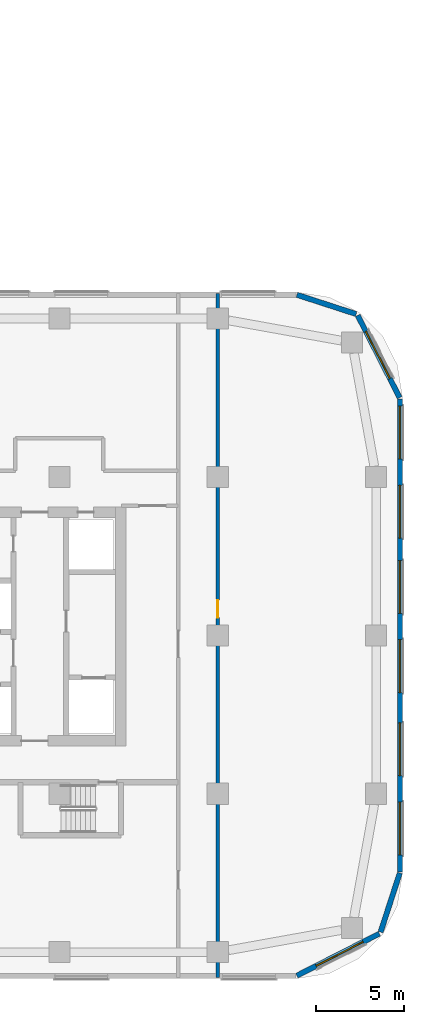
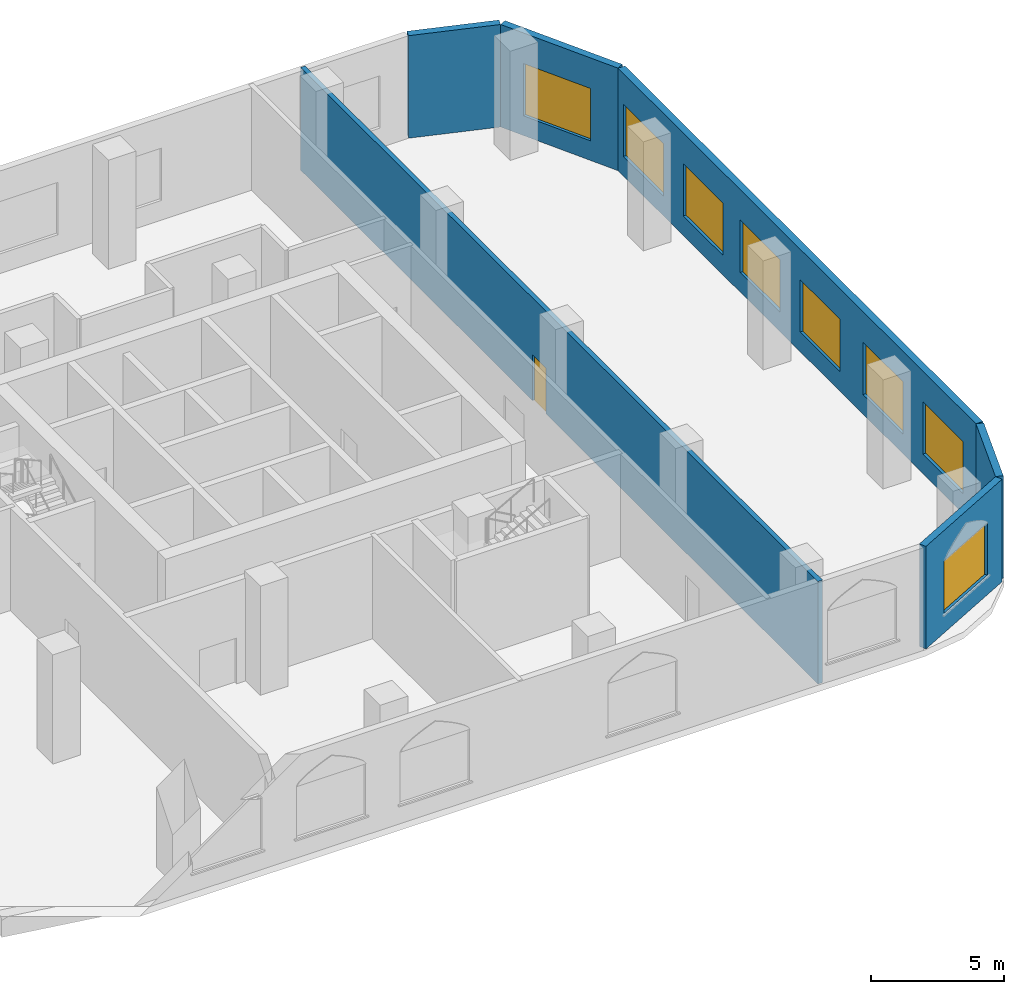
# One storey, part 12 of 31: 8 windows, 6 walls, 1 door, 9 openings.
"""IFC4 building model written with IfcOpenShell, lengths in metres."""

import ifcopenshell
import ifcopenshell.guid

model = None  # the IFC model being written
_history = None  # IfcOwnerHistory: only IFC2X3 demands one
_inside = {}  # id of a spatial element -> (the spatial element, [elements in it])
_under = {}  # id of a project, library or spatial element -> (it, [spatial elements below it])
_declared = {}  # id of a project -> (the project, [libraries it declares])
_typed = {}  # id of a type object -> (the type object, [elements of that type])
_made_of = {}  # id of a material, layer set ... -> (it, [elements and type objects made of it])


def new_model(schema):
    """Start an empty IFC model of exactly this schema.

    Asked for "IFC4X3", IfcOpenShell would pick the latest addendum, in which some entities
    have other attributes; the version numbers below select the first issue.
    IFC2X3 requires an IfcOwnerHistory on every rooted entity: one is made here for all.
    """
    global model, _history
    if schema == "IFC4X3":
        model = ifcopenshell.file(schema_version=(4, 3, 0, 0))
    else:
        model = ifcopenshell.file(schema=schema)
    _inside.clear()
    _under.clear()
    _declared.clear()
    _typed.clear()
    _made_of.clear()
    _history = None
    if model.schema == "IFC2X3":
        org = make("IfcOrganization", Name="unknown")
        user = make(
            "IfcPersonAndOrganization",
            ThePerson=make("IfcPerson", FamilyName="unknown"),
            TheOrganization=org,
        )
        app = make(
            "IfcApplication",
            ApplicationDeveloper=org,
            Version="unknown",
            ApplicationFullName="unknown",
            ApplicationIdentifier="unknown",
        )
        _history = make(
            "IfcOwnerHistory",
            OwningUser=user,
            OwningApplication=app,
            ChangeAction="ADDED",
            CreationDate=0,
        )
    return model


def make(cls, **values):
    """One entity of the class cls with the attributes given. An attribute that is None is left unset."""
    return model.create_entity(
        cls, **{name: value for name, value in values.items() if value is not None}
    )


def rooted(cls, **values):
    """An entity with a GlobalId (a new one), such as an element, a storey or a relation."""
    return make(cls, GlobalId=ifcopenshell.guid.new(), OwnerHistory=_history, **values)


def si_unit(unit_type, name, prefix=None):
    """IfcSIUnit, for example si_unit("LENGTHUNIT", "METRE", prefix="MILLI")."""
    return make("IfcSIUnit", UnitType=unit_type, Prefix=prefix, Name=name)


def assignment(units):
    """IfcUnitAssignment: the units of a project."""
    return None if units is None else make("IfcUnitAssignment", Units=units)


def point(xyz):
    """IfcCartesianPoint."""
    return None if xyz is None else make("IfcCartesianPoint", Coordinates=xyz)


def direction(xyz):
    """IfcDirection."""
    return None if xyz is None else make("IfcDirection", DirectionRatios=xyz)


def frame(location, z_axis=None, x_axis=None):
    """IfcAxis2Placement3D, a coordinate frame: its origin and axes. An axis left out is left unset."""
    return make(
        "IfcAxis2Placement3D",
        Location=point(location),
        Axis=direction(z_axis),
        RefDirection=direction(x_axis),
    )


def frame_2d(location, x_axis=None):
    """IfcAxis2Placement2D, a coordinate frame in the plane: its origin and x axis."""
    return make(
        "IfcAxis2Placement2D", Location=point(location), RefDirection=direction(x_axis)
    )


def origin():
    """The frame at (0, 0, 0) with its axes left unset."""
    return frame((0.0, 0.0, 0.0))


def place(relative_to, where):
    """IfcLocalPlacement: puts the frame where relative to a parent placement (None: the world)."""
    return make(
        "IfcLocalPlacement", PlacementRelTo=relative_to, RelativePlacement=where
    )


def context(
    kind, dimensions, precision=None, world=None, true_north=None, identifier=None
):
    """IfcGeometricRepresentationContext, for example the 3D "Model" context."""
    return make(
        "IfcGeometricRepresentationContext",
        ContextIdentifier=identifier,
        ContextType=kind,
        CoordinateSpaceDimension=dimensions,
        Precision=precision,
        WorldCoordinateSystem=world,
        TrueNorth=true_north,
    )


def subcontext(parent, identifier, kind, view, scale=None):
    """IfcGeometricRepresentationSubContext, for example "Body" below "Model"."""
    return make(
        "IfcGeometricRepresentationSubContext",
        ContextIdentifier=identifier,
        ContextType=kind,
        ParentContext=parent,
        TargetScale=scale,
        TargetView=view,
    )


def project(units=None, contexts=None):
    """IfcProject with its units and contexts."""
    return rooted(
        "IfcProject",
        Name="project",
        RepresentationContexts=contexts,
        UnitsInContext=assignment(units),
    )


def spatial(cls, under=None, at=None, **own):
    """A site, building, storey or space (cls), placed at a placement, below another one or the project."""
    s = rooted(cls, ObjectPlacement=at, **own)
    if under is not None:
        _under.setdefault(under.id(), (under, []))[1].append(s)
    return s


def profile(cls, at=None, kind="AREA", **sizes):
    """A parametric profile (cls). Its sizes go by their IFC names, for example OverallWidth=200.0."""
    return make(cls, ProfileType=kind, Position=at, **sizes)


def rectangle(**sizes):
    """IfcRectangleProfileDef."""
    return profile("IfcRectangleProfileDef", **sizes)


def extrude(swept, where, along, depth):
    """IfcExtrudedAreaSolid: the profile swept, set in the frame where, extruded along a direction by depth."""
    return make(
        "IfcExtrudedAreaSolid",
        SweptArea=swept,
        Position=where,
        ExtrudedDirection=direction(along),
        Depth=depth,
    )


def shape(context_of_items, identifier, shape_type, items):
    """IfcShapeRepresentation: the items that make up one representation, for example the "Body"."""
    return make(
        "IfcShapeRepresentation",
        ContextOfItems=context_of_items,
        RepresentationIdentifier=identifier,
        RepresentationType=shape_type,
        Items=items,
    )


def material(Name=None, Category=None):
    """IfcMaterial."""
    return make("IfcMaterial", Name=Name, Category=Category)


def layer(
    of_material, thickness, ventilated=None, Name=None, Category=None, Priority=None
):
    """IfcMaterialLayer: one layer of a wall or slab, of a material (None: an air gap)."""
    return make(
        "IfcMaterialLayer",
        Material=of_material,
        LayerThickness=thickness,
        IsVentilated=ventilated,
        Name=Name,
        Category=Category,
        Priority=Priority,
    )


def layer_set(layers, Name=None):
    """IfcMaterialLayerSet."""
    return make("IfcMaterialLayerSet", MaterialLayers=layers, LayerSetName=Name)


def made_of(thing, what):
    """Note that an element or type object is made of a material, layer set ...; save() writes the relation."""
    if what is not None:
        _made_of.setdefault(what.id(), (what, []))[1].append(thing)
    return thing


def type_object(cls, material=None, **own):
    """A type object (cls), such as IfcWallType, which elements share."""
    return made_of(rooted(cls, **own), material)


def element(
    cls,
    number,
    at=None,
    inside=None,
    cuts=None,
    type_object=None,
    material=None,
    context=None,
    identifier="Body",
    shape_type=None,
    held_by="IfcProductDefinitionShape",
    body=None,
    shapes=None,
    **own,
):
    """One element of the class cls, such as IfcWall. Its Tag is "e" and its number.

    at: its placement. inside: the storey or other place that contains it. cuts: it is an
    opening in that element (IfcRelVoidsElement). A single representation is given by context,
    identifier, shape_type and body (its items); several are given by shapes. held_by: the class
    of the entity that holds the representations. save() writes the other relations.
    """
    e = rooted(cls, Tag="e%d" % number, ObjectPlacement=at, **own)
    if body is not None:
        shapes = [shape(context, identifier, shape_type, body)]
    if shapes is not None:
        e.Representation = make(held_by, Representations=shapes)
    if inside is not None:
        _inside.setdefault(inside.id(), (inside, []))[1].append(e)
    if cuts is not None:
        rooted(
            "IfcRelVoidsElement", RelatingBuildingElement=cuts, RelatedOpeningElement=e
        )
    if type_object is not None:
        _typed.setdefault(type_object.id(), (type_object, []))[1].append(e)
    return made_of(e, material)


def fill(opening, filler):
    """IfcRelFillsElement: the door or window that sits in an opening."""
    return rooted(
        "IfcRelFillsElement",
        RelatingOpeningElement=opening,
        RelatedBuildingElement=filler,
    )


def aggregate(whole, parts):
    """IfcRelAggregates: a whole, such as a stair, and the parts it consists of."""
    return rooted("IfcRelAggregates", RelatingObject=whole, RelatedObjects=parts)


def save(model, path):
    """Write the relations noted so far, then the file.

    IfcRelAggregates (storeys below a building ...), IfcRelContainedInSpatialStructure (elements
    in a storey), IfcRelDefinesByType, IfcRelAssociatesMaterial and IfcRelDeclares: one each for
    every whole, place, type object, material and project.
    """
    for whole, parts in _under.values():
        aggregate(whole, parts)
    for where, things in _inside.values():
        rooted(
            "IfcRelContainedInSpatialStructure",
            RelatedElements=things,
            RelatingStructure=where,
        )
    for kind, things in _typed.values():
        rooted("IfcRelDefinesByType", RelatedObjects=things, RelatingType=kind)
    for what, things in _made_of.values():
        rooted("IfcRelAssociatesMaterial", RelatedObjects=things, RelatingMaterial=what)
    for by, libraries in _declared.values():
        rooted("IfcRelDeclares", RelatingContext=by, RelatedDefinitions=libraries)
    model.write(path)


model = new_model("IFC4")

# Units and contexts
model_context = context("Model", 3, precision=1e-05, world=origin(), true_north=direction((0.0, 1.0)))
body_context = subcontext(model_context, "Body", "Model", "MODEL_VIEW")
ifc_project = project(units=[si_unit("LENGTHUNIT", "METRE"), si_unit("AREAUNIT", "SQUARE_METRE"), si_unit("VOLUMEUNIT", "CUBIC_METRE"), si_unit("PLANEANGLEUNIT", "RADIAN"), si_unit("MASSUNIT", "GRAM", prefix="KILO")], contexts=[model_context])

# Site, building, storey
site_placement = place(None, origin())
site = spatial("IfcSite", under=ifc_project, at=site_placement, CompositionType="ELEMENT")
building_placement = place(site_placement, origin())
building = spatial("IfcBuilding", under=site, at=building_placement, Name="Ogive Portal Towers", CompositionType="ELEMENT")
storey_placement = place(building_placement, frame((0.0, 0.0, 13.5)))
storey = spatial("IfcBuildingStorey", under=building, at=storey_placement, Name="L02", CompositionType="ELEMENT", Elevation=13.5)

# Wall, opening, window
ifc_material_1 = material(Name="Limestone cladding on lightweight block wall", Category="masonry")
ifc_layer_1 = layer(ifc_material_1, 0.300048828125)
ifc_layer_set_1 = layer_set([ifc_layer_1], Name="EXTERNAL WALL 300 STONE")
wall_type_1 = type_object("IfcWallType", Name="EXTERNAL WALL 300 STONE", PredefinedType="SOLIDWALL", material=ifc_layer_set_1)
wall_1_placement = place(storey_placement, frame((153.99609375, 11.166259765625, 0.0), z_axis=(0.0, 0.0, 1.0), x_axis=(0.890998339455, 0.454006562826, 0.0)))
wall_1 = element("IfcWall", 1, at=wall_1_placement, inside=storey, type_object=wall_type_1, Name="B:L02:f03:w0", PredefinedType="SOLIDWALL", context=body_context, shape_type="SweptSolid", body=[
    extrude(rectangle(XDim=5.251708984375, YDim=0.300048828125, at=frame_2d((2.6259765625, 0.0))), origin(), (0.0, 0.0, 1.0), 4.699951171875),
])
opening_1_placement = place(wall_1_placement, frame((1.223876953125, 0.0, 0.89990234375)))
opening_1 = element("IfcOpeningElement", 2, at=opening_1_placement, cuts=wall_1, Name="Opening WN3", PredefinedType="OPENING", context=body_context, shape_type="SweptSolid", body=[
    extrude(rectangle(XDim=3.0, YDim=2.39990234375, at=frame_2d((1.5, 1.199951171875))), frame((0.0, 0.16015625, 0.0), z_axis=(0.0, -1.0, 0.0), x_axis=(1.0, 0.0, 0.0)), (0.0, 0.0, 1.0), 0.320068359375),
])
ifc_material_2 = material(Name="Glass, clear low-iron insulated glazing", Category="glass")
window_type = type_object("IfcWindowType", Name="WINDOW PODIUM 3000x2400", PartitioningType="SINGLE_PANEL", PredefinedType="WINDOW", material=ifc_material_2)
window_1_placement = place(opening_1_placement, origin())
window_1 = element("IfcWindow", 3, at=window_1_placement, inside=storey, type_object=window_type, Name="B:L02:f03:w0:o0", OverallHeight=2.39990234375, OverallWidth=3.0, PartitioningType="SINGLE_PANEL", PredefinedType="WINDOW", context=body_context, shape_type="SweptSolid", body=[
    extrude(rectangle(XDim=3.0, YDim=2.39990234375, at=frame_2d((1.5, 1.199951171875))), frame((0.0, 0.030029296875, 0.0), z_axis=(0.0, -1.0, 0.0), x_axis=(1.0, 0.0, 0.0)), (0.0, 0.0, 1.0), 0.06005859375),
])
fill(opening_1, window_1)

# Wall
wall_2_placement = place(storey_placement, frame((158.749755859375, 13.637939453125, 0.0), z_axis=(0.0, 0.0, 1.0), x_axis=(0.309073584194, 0.951038127287, 0.0)))
element("IfcWall", 4, at=wall_2_placement, inside=storey, type_object=wall_type_1, Name="B:L02:f04:w0", PredefinedType="SOLIDWALL", context=body_context, shape_type="SweptSolid", body=[
    extrude(rectangle(XDim=3.536376953125, YDim=0.300048828125, at=frame_2d((1.76806640625, 0.0))), origin(), (0.0, 0.0, 1.0), 4.699951171875),
])

# Wall, openings, windows
wall_3_placement = place(storey_placement, frame((159.85009765625, 17.047607421875, 0.0), z_axis=(0.0, 0.0, 1.0), x_axis=(0.0, 1.0, 0.0)))
wall_3 = element("IfcWall", 5, at=wall_3_placement, inside=storey, type_object=wall_type_1, Name="B:L02:f05:w0", PredefinedType="SOLIDWALL", context=body_context, shape_type="SweptSolid", body=[
    extrude(rectangle(XDim=26.88037109375, YDim=0.300048828125, at=frame_2d((13.440185546875, 0.0))), origin(), (0.0, 0.0, 1.0), 4.699951171875),
])
opening_2_placement = place(wall_3_placement, frame((0.976318359375, 0.0, 0.89990234375)))
opening_2 = element("IfcOpeningElement", 6, at=opening_2_placement, cuts=wall_3, Name="Opening WN3", PredefinedType="OPENING", context=body_context, shape_type="SweptSolid", body=[
    extrude(rectangle(XDim=3.0, YDim=2.39990234375, at=frame_2d((1.5, 1.199951171875))), frame((0.0, 0.16015625, 0.0), z_axis=(0.0, -1.0, 0.0), x_axis=(1.0, 0.0, 0.0)), (0.0, 0.0, 1.0), 0.320068359375),
])
opening_3_placement = place(wall_3_placement, frame((5.476318359375, 0.0, 0.89990234375)))
opening_3 = element("IfcOpeningElement", 7, at=opening_3_placement, cuts=wall_3, Name="Opening WN3", PredefinedType="OPENING", context=body_context, shape_type="SweptSolid", body=[
    extrude(rectangle(XDim=3.0, YDim=2.39990234375, at=frame_2d((1.5, 1.199951171875))), frame((0.0, 0.16015625, 0.0), z_axis=(0.0, -1.0, 0.0), x_axis=(1.0, 0.0, 0.0)), (0.0, 0.0, 1.0), 0.320068359375),
])
opening_4_placement = place(wall_3_placement, frame((10.202392578125, 0.0, 0.89990234375)))
opening_4 = element("IfcOpeningElement", 8, at=opening_4_placement, cuts=wall_3, Name="Opening WN3", PredefinedType="OPENING", context=body_context, shape_type="SweptSolid", body=[
    extrude(rectangle(XDim=3.0, YDim=2.39990234375, at=frame_2d((1.5, 1.199951171875))), frame((0.0, 0.16015625, 0.0), z_axis=(0.0, -1.0, 0.0), x_axis=(1.0, 0.0, 0.0)), (0.0, 0.0, 1.0), 0.320068359375),
])
opening_5_placement = place(wall_3_placement, frame((14.702392578125, 0.0, 0.89990234375)))
opening_5 = element("IfcOpeningElement", 9, at=opening_5_placement, cuts=wall_3, Name="Opening WN3", PredefinedType="OPENING", context=body_context, shape_type="SweptSolid", body=[
    extrude(rectangle(XDim=3.0, YDim=2.39990234375, at=frame_2d((1.5, 1.199951171875))), frame((0.0, 0.16015625, 0.0), z_axis=(0.0, -1.0, 0.0), x_axis=(1.0, 0.0, 0.0)), (0.0, 0.0, 1.0), 0.320068359375),
])
opening_6_placement = place(wall_3_placement, frame((18.976318359375, 0.0, 0.89990234375)))
opening_6 = element("IfcOpeningElement", 10, at=opening_6_placement, cuts=wall_3, Name="Opening WN3", PredefinedType="OPENING", context=body_context, shape_type="SweptSolid", body=[
    extrude(rectangle(XDim=3.0, YDim=2.39990234375, at=frame_2d((1.5, 1.199951171875))), frame((0.0, 0.16015625, 0.0), z_axis=(0.0, -1.0, 0.0), x_axis=(1.0, 0.0, 0.0)), (0.0, 0.0, 1.0), 0.320068359375),
])
opening_7_placement = place(wall_3_placement, frame((23.476318359375, 0.0, 0.89990234375)))
opening_7 = element("IfcOpeningElement", 11, at=opening_7_placement, cuts=wall_3, Name="Opening WN3", PredefinedType="OPENING", context=body_context, shape_type="SweptSolid", body=[
    extrude(rectangle(XDim=3.0, YDim=2.39990234375, at=frame_2d((1.5, 1.199951171875))), frame((0.0, 0.16015625, 0.0), z_axis=(0.0, -1.0, 0.0), x_axis=(1.0, 0.0, 0.0)), (0.0, 0.0, 1.0), 0.320068359375),
])
window_2_placement = place(opening_2_placement, origin())
window_2 = element("IfcWindow", 12, at=window_2_placement, inside=storey, type_object=window_type, Name="B:L02:f05:w0:o0a", OverallHeight=2.39990234375, OverallWidth=3.0, PartitioningType="SINGLE_PANEL", PredefinedType="WINDOW", context=body_context, shape_type="SweptSolid", body=[
    extrude(rectangle(XDim=3.0, YDim=2.39990234375, at=frame_2d((1.5, 1.199951171875))), frame((0.0, 0.030029296875, 0.0), z_axis=(0.0, -1.0, 0.0), x_axis=(1.0, 0.0, 0.0)), (0.0, 0.0, 1.0), 0.06005859375),
])
fill(opening_2, window_2)
window_3_placement = place(opening_3_placement, origin())
window_3 = element("IfcWindow", 13, at=window_3_placement, inside=storey, type_object=window_type, Name="B:L02:f05:w0:o0b", OverallHeight=2.39990234375, OverallWidth=3.0, PartitioningType="SINGLE_PANEL", PredefinedType="WINDOW", context=body_context, shape_type="SweptSolid", body=[
    extrude(rectangle(XDim=3.0, YDim=2.39990234375, at=frame_2d((1.5, 1.199951171875))), frame((0.0, 0.030029296875, 0.0), z_axis=(0.0, -1.0, 0.0), x_axis=(1.0, 0.0, 0.0)), (0.0, 0.0, 1.0), 0.06005859375),
])
fill(opening_3, window_3)
window_4_placement = place(opening_4_placement, origin())
window_4 = element("IfcWindow", 14, at=window_4_placement, inside=storey, type_object=window_type, Name="B:L02:f05:w0:o1a", OverallHeight=2.39990234375, OverallWidth=3.0, PartitioningType="SINGLE_PANEL", PredefinedType="WINDOW", context=body_context, shape_type="SweptSolid", body=[
    extrude(rectangle(XDim=3.0, YDim=2.39990234375, at=frame_2d((1.5, 1.199951171875))), frame((0.0, 0.030029296875, 0.0), z_axis=(0.0, -1.0, 0.0), x_axis=(1.0, 0.0, 0.0)), (0.0, 0.0, 1.0), 0.06005859375),
])
fill(opening_4, window_4)
window_5_placement = place(opening_5_placement, origin())
window_5 = element("IfcWindow", 15, at=window_5_placement, inside=storey, type_object=window_type, Name="B:L02:f05:w0:o1b", OverallHeight=2.39990234375, OverallWidth=3.0, PartitioningType="SINGLE_PANEL", PredefinedType="WINDOW", context=body_context, shape_type="SweptSolid", body=[
    extrude(rectangle(XDim=3.0, YDim=2.39990234375, at=frame_2d((1.5, 1.199951171875))), frame((0.0, 0.030029296875, 0.0), z_axis=(0.0, -1.0, 0.0), x_axis=(1.0, 0.0, 0.0)), (0.0, 0.0, 1.0), 0.06005859375),
])
fill(opening_5, window_5)
window_6_placement = place(opening_6_placement, origin())
window_6 = element("IfcWindow", 16, at=window_6_placement, inside=storey, type_object=window_type, Name="B:L02:f05:w0:o2a", OverallHeight=2.39990234375, OverallWidth=3.0, PartitioningType="SINGLE_PANEL", PredefinedType="WINDOW", context=body_context, shape_type="SweptSolid", body=[
    extrude(rectangle(XDim=3.0, YDim=2.39990234375, at=frame_2d((1.5, 1.199951171875))), frame((0.0, 0.030029296875, 0.0), z_axis=(0.0, -1.0, 0.0), x_axis=(1.0, 0.0, 0.0)), (0.0, 0.0, 1.0), 0.06005859375),
])
fill(opening_6, window_6)
window_7_placement = place(opening_7_placement, origin())
window_7 = element("IfcWindow", 17, at=window_7_placement, inside=storey, type_object=window_type, Name="B:L02:f05:w0:o2b", OverallHeight=2.39990234375, OverallWidth=3.0, PartitioningType="SINGLE_PANEL", PredefinedType="WINDOW", context=body_context, shape_type="SweptSolid", body=[
    extrude(rectangle(XDim=3.0, YDim=2.39990234375, at=frame_2d((1.5, 1.199951171875))), frame((0.0, 0.030029296875, 0.0), z_axis=(0.0, -1.0, 0.0), x_axis=(1.0, 0.0, 0.0)), (0.0, 0.0, 1.0), 0.06005859375),
])
fill(opening_7, window_7)

# Wall, opening, window
wall_4_placement = place(storey_placement, frame((159.833740234375, 43.99609375, 0.0), z_axis=(0.0, 0.0, 1.0), x_axis=(-0.454006562826, 0.890998339455, 0.0)))
wall_4 = element("IfcWall", 18, at=wall_4_placement, inside=storey, type_object=wall_type_1, Name="B:L02:f06:w0", PredefinedType="SOLIDWALL", context=body_context, shape_type="SweptSolid", body=[
    extrude(rectangle(XDim=5.251708984375, YDim=0.300048828125, at=frame_2d((2.6259765625, 0.0))), origin(), (0.0, 0.0, 1.0), 4.699951171875),
])
opening_8_placement = place(wall_4_placement, frame((1.223876953125, 0.0, 0.89990234375)))
opening_8 = element("IfcOpeningElement", 19, at=opening_8_placement, cuts=wall_4, Name="Opening WN3", PredefinedType="OPENING", context=body_context, shape_type="SweptSolid", body=[
    extrude(rectangle(XDim=3.0, YDim=2.39990234375, at=frame_2d((1.5, 1.199951171875))), frame((0.0, 0.16015625, 0.0), z_axis=(0.0, -1.0, 0.0), x_axis=(1.0, 0.0, 0.0)), (0.0, 0.0, 1.0), 0.320068359375),
])
window_8_placement = place(opening_8_placement, origin())
window_8 = element("IfcWindow", 20, at=window_8_placement, inside=storey, type_object=window_type, Name="B:L02:f06:w0:o0", OverallHeight=2.39990234375, OverallWidth=3.0, PartitioningType="SINGLE_PANEL", PredefinedType="WINDOW", context=body_context, shape_type="SweptSolid", body=[
    extrude(rectangle(XDim=3.0, YDim=2.39990234375, at=frame_2d((1.5, 1.199951171875))), frame((0.0, 0.030029296875, 0.0), z_axis=(0.0, -1.0, 0.0), x_axis=(1.0, 0.0, 0.0)), (0.0, 0.0, 1.0), 0.06005859375),
])
fill(opening_8, window_8)

# Wall
wall_5_placement = place(storey_placement, frame((157.362060546875, 48.749755859375, 0.0), z_axis=(0.0, 0.0, 1.0), x_axis=(-0.951038127287, 0.309073584194, 0.0)))
element("IfcWall", 21, at=wall_5_placement, inside=storey, type_object=wall_type_1, Name="B:L02:f07:w0", PredefinedType="SOLIDWALL", context=body_context, shape_type="SweptSolid", body=[
    extrude(rectangle(XDim=3.536376953125, YDim=0.300048828125, at=frame_2d((1.76806640625, 0.0))), origin(), (0.0, 0.0, 1.0), 4.699951171875),
])

# Wall, opening, door
ifc_material_3 = material(Name="Gypsum board partition on steel studs", Category="steel")
ifc_layer_2 = layer(ifc_material_3, 0.199951171875)
ifc_layer_set_2 = layer_set([ifc_layer_2], Name="WT-PART-200-EI 60")
wall_type_2 = type_object("IfcWallType", Name="WT-PART-200-EI 60", PredefinedType="PARTITIONING", material=ifc_layer_set_2)
wall_6_placement = place(storey_placement, frame((149.5, 11.070068359375, 0.0), z_axis=(0.0, 0.0, 1.0), x_axis=(0.0, 1.0, 0.0)))
wall_6 = element("IfcWall", 22, at=wall_6_placement, inside=storey, type_object=wall_type_2, Name="Wall L02:w060", PredefinedType="PARTITIONING", context=body_context, shape_type="SweptSolid", body=[
    extrude(rectangle(XDim=38.85986328125, YDim=0.199951171875, at=frame_2d((19.429931640625, 0.0))), origin(), (0.0, 0.0, 1.0), 4.699951171875),
])
opening_9_placement = place(wall_6_placement, frame((20.429931640625, 0.0, 0.0)))
opening_9 = element("IfcOpeningElement", 23, at=opening_9_placement, cuts=wall_6, Name="Opening P02-036", PredefinedType="OPENING", context=body_context, shape_type="SweptSolid", body=[
    extrude(rectangle(XDim=1.0, YDim=2.10009765625, at=frame_2d((0.5, 1.050048828125))), frame((0.0, 0.10986328125, 0.0), z_axis=(0.0, -1.0, 0.0), x_axis=(1.0, 0.0, 0.0)), (0.0, 0.0, 1.0), 0.219970703125),
])
ifc_material_4 = material(Name="Steel fire door", Category="steel")
door_type = type_object("IfcDoorType", Name="DT-SWING-1000x2100-FD60S", OperationType="SINGLE_SWING_LEFT", PredefinedType="DOOR", material=ifc_material_4)
door_placement = place(opening_9_placement, origin())
door = element("IfcDoor", 24, at=door_placement, inside=storey, type_object=door_type, Name="Door P02-036", OperationType="SINGLE_SWING_RIGHT", OverallHeight=2.10009765625, OverallWidth=1.0, PredefinedType="DOOR", context=body_context, shape_type="SweptSolid", body=[
    extrude(rectangle(XDim=1.0, YDim=2.10009765625, at=frame_2d((0.5, 1.050048828125))), frame((0.0, 0.02490234375, 0.0), z_axis=(0.0, -1.0, 0.0), x_axis=(1.0, 0.0, 0.0)), (0.0, 0.0, 1.0), 0.050048828125),
])
fill(opening_9, door)

save(model, "model.ifc")
